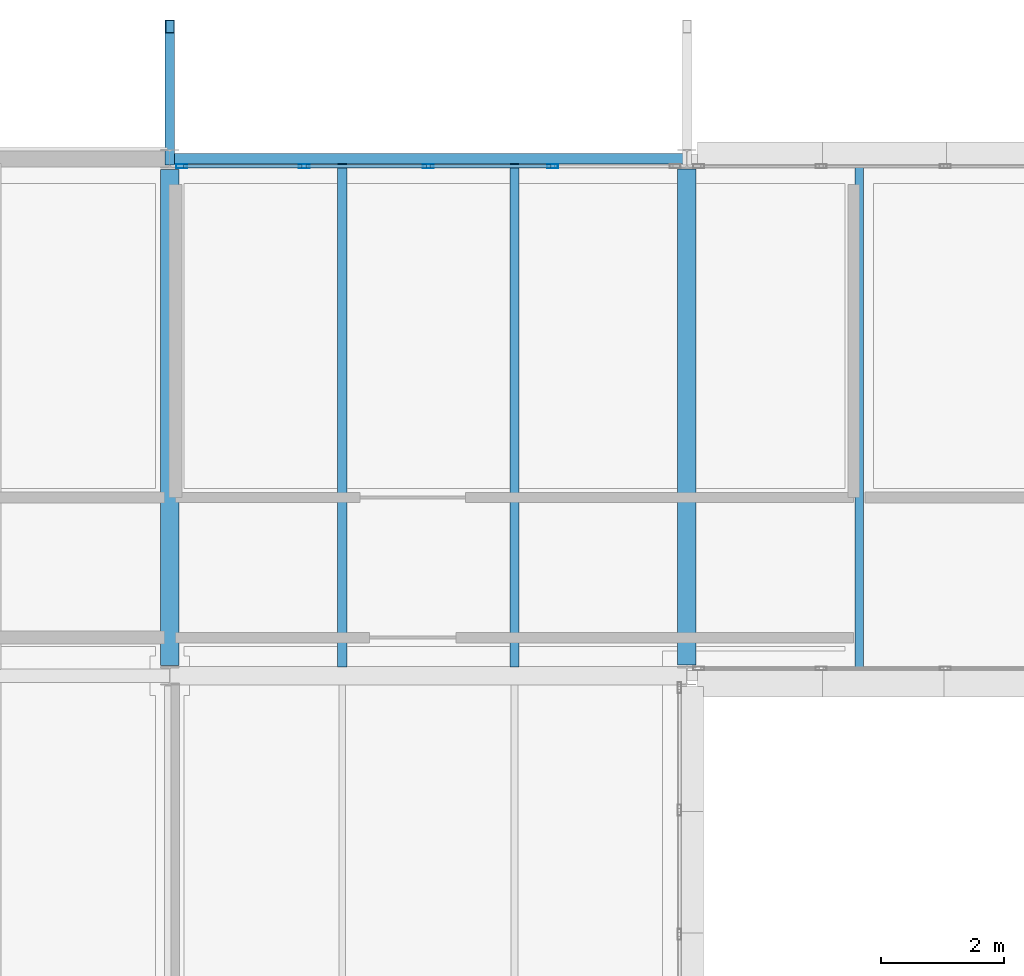
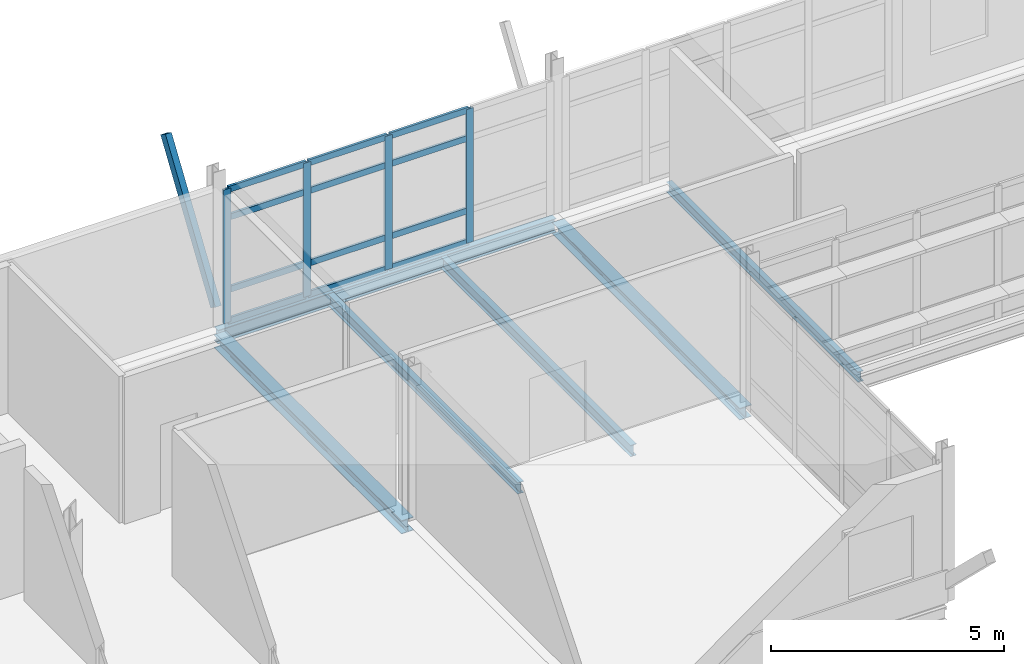
# One storey, part 16 of 57: 17 members, 6 beams, 1 element without a shape of its own.
"""IFC4 building model written with IfcOpenShell, lengths in metres."""

from ifc_helpers import new_model, si_unit, direction, frame, origin, origin_2d, place, context, subcontext, project, spatial, hollow_rectangle, i_section, extrude, material, material_profile, profile_set, type_object, element, aggregate, save


model = new_model("IFC4")

# Units and contexts
model_context = context("Model", 3, precision=1e-05, world=origin(), true_north=direction((0.0, 1.0)))
body_context = subcontext(model_context, "Body", "Model", "MODEL_VIEW")
ifc_project = project(units=[si_unit("LENGTHUNIT", "METRE"), si_unit("AREAUNIT", "SQUARE_METRE"), si_unit("VOLUMEUNIT", "CUBIC_METRE"), si_unit("PLANEANGLEUNIT", "RADIAN"), si_unit("MASSUNIT", "GRAM", prefix="KILO")], contexts=[model_context])

# Site, building, storey
site_placement = place(None, origin())
site = spatial("IfcSite", under=ifc_project, at=site_placement, CompositionType="ELEMENT")
building_placement = place(site_placement, origin())
building = spatial("IfcBuilding", under=site, at=building_placement, Name="Mersafa Astral City Hall", CompositionType="ELEMENT")
storey_placement = place(building_placement, frame((0.0, 0.0, 26.10009765625)))
storey = spatial("IfcBuildingStorey", under=building, at=storey_placement, Name="L06", CompositionType="ELEMENT", Elevation=26.10009765625)

# Curtain wall, members
ifc_material_1 = material(Name="Anodised bronze aluminium framing", Category="aluminium")
curtain_wall_type = type_object("IfcCurtainWallType", Name="ENV-CW-5", PredefinedType="USERDEFINED", material=ifc_material_1)
curtain_wall_placement = place(storey_placement, origin())
curtain_wall = element("IfcCurtainWall", 1, at=curtain_wall_placement, inside=storey, type_object=curtain_wall_type, Name="L06 Unitised solar curtain wall 262", ObjectType="UNITISED CURTAIN WALL", PredefinedType="USERDEFINED")
ifc_material_profile_1 = material_profile(ifc_material_1, hollow_rectangle(XDim=0.06005859375, YDim=0.179931640625, WallThickness=0.00390625, at=origin_2d()), Name="RHS 60x180x4")
ifc_profile_set_1 = profile_set([ifc_material_profile_1], Name="Anodised bronze aluminium framing")
member_type_1 = type_object("IfcMemberType", Name="ENV-CW-MUL-1", PredefinedType="MULLION", material=ifc_profile_set_1)
member_1_placement = place(storey_placement, frame((65.01904296875, 125.8798828125, -0.002197265625), z_axis=(0.0, 0.0, 1.0), x_axis=(0.0, -1.0, 0.0)))
member_1 = element("IfcMember", 2, at=member_1_placement, type_object=member_type_1, Name="CW-5 mullion 2", PredefinedType="MULLION", context=body_context, shape_type="SweptSolid", body=[
    extrude(hollow_rectangle(XDim=0.06005859375, YDim=0.179931640625, WallThickness=0.00390625, at=origin_2d()), origin(), (0.0, 0.0, 1.0), 3.51416015625),
])
member_2_placement = place(storey_placement, frame((63.0, 125.8798828125, -0.002197265625), z_axis=(0.0, 0.0, 1.0), x_axis=(0.0, -1.0, 0.0)))
member_2 = element("IfcMember", 3, at=member_2_placement, type_object=member_type_1, Name="CW-5 mullion 3", PredefinedType="MULLION", context=body_context, shape_type="SweptSolid", body=[
    extrude(hollow_rectangle(XDim=0.06005859375, YDim=0.179931640625, WallThickness=0.00390625, at=origin_2d()), origin(), (0.0, 0.0, 1.0), 3.51416015625),
])
member_3_placement = place(storey_placement, frame((60.98095703125, 125.8798828125, -0.002197265625), z_axis=(0.0, 0.0, 1.0), x_axis=(0.0, -1.0, 0.0)))
member_3 = element("IfcMember", 4, at=member_3_placement, type_object=member_type_1, Name="CW-5 mullion 4", PredefinedType="MULLION", context=body_context, shape_type="SweptSolid", body=[
    extrude(hollow_rectangle(XDim=0.06005859375, YDim=0.179931640625, WallThickness=0.00390625, at=origin_2d()), origin(), (0.0, 0.0, 1.0), 3.51416015625),
])
member_4_placement = place(storey_placement, frame((58.991943359375, 125.8798828125, -0.002197265625), z_axis=(0.0, 0.0, 1.0), x_axis=(0.0, -1.0, 0.0)))
member_4 = element("IfcMember", 5, at=member_4_placement, type_object=member_type_1, Name="CW-5 mullion 5", PredefinedType="MULLION", context=body_context, shape_type="SweptSolid", body=[
    extrude(hollow_rectangle(XDim=0.06005859375, YDim=0.179931640625, WallThickness=0.00390625, at=origin_2d()), origin(), (0.0, 0.0, 1.0), 3.51416015625),
])
ifc_material_profile_2 = material_profile(ifc_material_1, hollow_rectangle(XDim=0.06005859375, YDim=0.159912109375, WallThickness=0.00390625, at=origin_2d()), Name="RHS 60x160x4")
ifc_profile_set_2 = profile_set([ifc_material_profile_2], Name="Anodised bronze aluminium framing")
member_type_2 = type_object("IfcMemberType", Name="ENV-CW-TRN-2", PredefinedType="USERDEFINED", material=ifc_profile_set_2)
member_5_placement = place(storey_placement, frame((64.989013671875, 125.8798828125, 0.02783203125), z_axis=(-1.0, 0.0, 0.0), x_axis=(0.0, -1.0, 0.0)))
member_5 = element("IfcMember", 6, at=member_5_placement, type_object=member_type_2, Name="CW-5 transom 2.1", ObjectType="TRANSOM", PredefinedType="USERDEFINED", context=body_context, shape_type="SweptSolid", body=[
    extrude(hollow_rectangle(XDim=0.06005859375, YDim=0.159912109375, WallThickness=0.00390625, at=origin_2d()), origin(), (0.0, 0.0, 1.0), 1.958984375),
])
member_6_placement = place(storey_placement, frame((64.989013671875, 125.8798828125, 0.849853515625), z_axis=(-1.0, 0.0, 0.0), x_axis=(0.0, -1.0, 0.0)))
member_6 = element("IfcMember", 7, at=member_6_placement, type_object=member_type_2, Name="CW-5 transom 2.2", ObjectType="TRANSOM", PredefinedType="USERDEFINED", context=body_context, shape_type="SweptSolid", body=[
    extrude(hollow_rectangle(XDim=0.06005859375, YDim=0.159912109375, WallThickness=0.00390625, at=origin_2d()), origin(), (0.0, 0.0, 1.0), 1.958984375),
])
member_7_placement = place(storey_placement, frame((64.989013671875, 125.8798828125, 2.75), z_axis=(-1.0, 0.0, 0.0), x_axis=(0.0, -1.0, 0.0)))
member_7 = element("IfcMember", 8, at=member_7_placement, type_object=member_type_2, Name="CW-5 transom 2.3", ObjectType="TRANSOM", PredefinedType="USERDEFINED", context=body_context, shape_type="SweptSolid", body=[
    extrude(hollow_rectangle(XDim=0.06005859375, YDim=0.159912109375, WallThickness=0.00390625, at=origin_2d()), origin(), (0.0, 0.0, 1.0), 1.958984375),
])
member_8_placement = place(storey_placement, frame((64.989013671875, 125.8798828125, 3.48193359375), z_axis=(-1.0, 0.0, 0.0), x_axis=(0.0, -1.0, 0.0)))
member_8 = element("IfcMember", 9, at=member_8_placement, type_object=member_type_2, Name="CW-5 transom 2.4", ObjectType="TRANSOM", PredefinedType="USERDEFINED", context=body_context, shape_type="SweptSolid", body=[
    extrude(hollow_rectangle(XDim=0.06005859375, YDim=0.159912109375, WallThickness=0.00390625, at=origin_2d()), origin(), (0.0, 0.0, 1.0), 1.958984375),
])
member_9_placement = place(storey_placement, frame((62.969970703125, 125.8798828125, 0.02783203125), z_axis=(-1.0, 0.0, 0.0), x_axis=(0.0, -1.0, 0.0)))
member_9 = element("IfcMember", 10, at=member_9_placement, type_object=member_type_2, Name="CW-5 transom 3.1", ObjectType="TRANSOM", PredefinedType="USERDEFINED", context=body_context, shape_type="SweptSolid", body=[
    extrude(hollow_rectangle(XDim=0.06005859375, YDim=0.159912109375, WallThickness=0.00390625, at=origin_2d()), origin(), (0.0, 0.0, 1.0), 1.958984375),
])
member_10_placement = place(storey_placement, frame((62.969970703125, 125.8798828125, 0.849853515625), z_axis=(-1.0, 0.0, 0.0), x_axis=(0.0, -1.0, 0.0)))
member_10 = element("IfcMember", 11, at=member_10_placement, type_object=member_type_2, Name="CW-5 transom 3.2", ObjectType="TRANSOM", PredefinedType="USERDEFINED", context=body_context, shape_type="SweptSolid", body=[
    extrude(hollow_rectangle(XDim=0.06005859375, YDim=0.159912109375, WallThickness=0.00390625, at=origin_2d()), origin(), (0.0, 0.0, 1.0), 1.958984375),
])
member_11_placement = place(storey_placement, frame((62.969970703125, 125.8798828125, 2.75), z_axis=(-1.0, 0.0, 0.0), x_axis=(0.0, -1.0, 0.0)))
member_11 = element("IfcMember", 12, at=member_11_placement, type_object=member_type_2, Name="CW-5 transom 3.3", ObjectType="TRANSOM", PredefinedType="USERDEFINED", context=body_context, shape_type="SweptSolid", body=[
    extrude(hollow_rectangle(XDim=0.06005859375, YDim=0.159912109375, WallThickness=0.00390625, at=origin_2d()), origin(), (0.0, 0.0, 1.0), 1.958984375),
])
member_12_placement = place(storey_placement, frame((62.969970703125, 125.8798828125, 3.48193359375), z_axis=(-1.0, 0.0, 0.0), x_axis=(0.0, -1.0, 0.0)))
member_12 = element("IfcMember", 13, at=member_12_placement, type_object=member_type_2, Name="CW-5 transom 3.4", ObjectType="TRANSOM", PredefinedType="USERDEFINED", context=body_context, shape_type="SweptSolid", body=[
    extrude(hollow_rectangle(XDim=0.06005859375, YDim=0.159912109375, WallThickness=0.00390625, at=origin_2d()), origin(), (0.0, 0.0, 1.0), 1.958984375),
])
member_13_placement = place(storey_placement, frame((60.950927734375, 125.8798828125, 0.02783203125), z_axis=(-1.0, 0.0, 0.0), x_axis=(0.0, -1.0, 0.0)))
member_13 = element("IfcMember", 14, at=member_13_placement, type_object=member_type_2, Name="CW-5 transom 4.1", ObjectType="TRANSOM", PredefinedType="USERDEFINED", context=body_context, shape_type="SweptSolid", body=[
    extrude(hollow_rectangle(XDim=0.06005859375, YDim=0.159912109375, WallThickness=0.00390625, at=origin_2d()), origin(), (0.0, 0.0, 1.0), 1.928955078125),
])
member_14_placement = place(storey_placement, frame((60.950927734375, 125.8798828125, 0.849853515625), z_axis=(-1.0, 0.0, 0.0), x_axis=(0.0, -1.0, 0.0)))
member_14 = element("IfcMember", 15, at=member_14_placement, type_object=member_type_2, Name="CW-5 transom 4.2", ObjectType="TRANSOM", PredefinedType="USERDEFINED", context=body_context, shape_type="SweptSolid", body=[
    extrude(hollow_rectangle(XDim=0.06005859375, YDim=0.159912109375, WallThickness=0.00390625, at=origin_2d()), origin(), (0.0, 0.0, 1.0), 1.928955078125),
])
member_15_placement = place(storey_placement, frame((60.950927734375, 125.8798828125, 2.75), z_axis=(-1.0, 0.0, 0.0), x_axis=(0.0, -1.0, 0.0)))
member_15 = element("IfcMember", 16, at=member_15_placement, type_object=member_type_2, Name="CW-5 transom 4.3", ObjectType="TRANSOM", PredefinedType="USERDEFINED", context=body_context, shape_type="SweptSolid", body=[
    extrude(hollow_rectangle(XDim=0.06005859375, YDim=0.159912109375, WallThickness=0.00390625, at=origin_2d()), origin(), (0.0, 0.0, 1.0), 1.928955078125),
])
member_16_placement = place(storey_placement, frame((60.950927734375, 125.8798828125, 3.48193359375), z_axis=(-1.0, 0.0, 0.0), x_axis=(0.0, -1.0, 0.0)))
member_16 = element("IfcMember", 17, at=member_16_placement, type_object=member_type_2, Name="CW-5 transom 4.4", ObjectType="TRANSOM", PredefinedType="USERDEFINED", context=body_context, shape_type="SweptSolid", body=[
    extrude(hollow_rectangle(XDim=0.06005859375, YDim=0.159912109375, WallThickness=0.00390625, at=origin_2d()), origin(), (0.0, 0.0, 1.0), 1.928955078125),
])
aggregate(curtain_wall, [member_1, member_2, member_3, member_4, member_5, member_6, member_7, member_8, member_9, member_10, member_11, member_12, member_13, member_14, member_15, member_16])

# Beams
ifc_material_2 = material(Name="Steel S355", Category="steel")
ifc_material_profile_3 = material_profile(ifc_material_2, i_section(OverallWidth=0.300048828125, OverallDepth=0.31005859375, WebThickness=0.009033203125, FlangeThickness=0.015380859375, FilletRadius=0.027099609375, at=origin_2d()), Name="HEA 320")
ifc_profile_set_3 = profile_set([ifc_material_profile_3], Name="Steel S355")
beam_type_1 = type_object("IfcBeamType", Name="STR-BM-HEA320", PredefinedType="BEAM", material=ifc_profile_set_3)
beam_1_placement = place(storey_placement, frame((67.199951171875, 117.77490234375, -0.330078125), z_axis=(0.0, 1.0, 0.0), x_axis=(-1.0, 0.0, 0.0)))
element("IfcBeam", 18, at=beam_1_placement, inside=storey, type_object=beam_type_1, Name="L06 Primary girder Y 8-14", PredefinedType="BEAM", context=body_context, shape_type="SweptSolid", body=[
    extrude(i_section(OverallWidth=0.300048828125, OverallDepth=0.31005859375, WebThickness=0.009033203125, FlangeThickness=0.015380859375, FilletRadius=0.027099609375, at=origin_2d()), origin(), (0.0, 0.0, 1.0), 8.06005859375),
])
ifc_material_profile_4 = material_profile(ifc_material_2, i_section(OverallWidth=0.300048828125, OverallDepth=0.35009765625, WebThickness=0.010009765625, FlangeThickness=0.017578125, FilletRadius=0.027099609375, at=origin_2d()), Name="HEA 360")
ifc_profile_set_4 = profile_set([ifc_material_profile_4], Name="Steel S355")
beam_type_2 = type_object("IfcBeamType", Name="STR-BM-HEA360", PredefinedType="BEAM", material=ifc_profile_set_4)
beam_2_placement = place(storey_placement, frame((58.800048828125, 117.764892578125, -0.35009765625), z_axis=(0.0, 1.0, 0.0), x_axis=(-1.0, 0.0, 0.0)))
element("IfcBeam", 19, at=beam_2_placement, inside=storey, type_object=beam_type_2, Name="L06 Primary girder Y 7-14", PredefinedType="BEAM", context=body_context, shape_type="SweptSolid", body=[
    extrude(i_section(OverallWidth=0.300048828125, OverallDepth=0.35009765625, WebThickness=0.010009765625, FlangeThickness=0.017578125, FilletRadius=0.027099609375, at=origin_2d()), origin(), (0.0, 0.0, 1.0), 8.06005859375),
])
ifc_material_profile_5 = material_profile(ifc_material_2, i_section(OverallWidth=0.135009765625, OverallDepth=0.27001953125, WebThickness=0.006591796875, FlangeThickness=0.01025390625, FilletRadius=0.014892578125, at=origin_2d()), Name="IPE 270")
ifc_profile_set_5 = profile_set([ifc_material_profile_5], Name="Steel S355")
beam_type_3 = type_object("IfcBeamType", Name="STR-BM-JOIST-IPE270", PredefinedType="JOIST", material=ifc_profile_set_5)
beam_3_placement = place(storey_placement, frame((70.0, 117.679931640625, -0.31005859375), z_axis=(0.0, 1.0, 0.0), x_axis=(-1.0, 0.0, 0.0)))
element("IfcBeam", 20, at=beam_3_placement, inside=storey, type_object=beam_type_3, Name="L06 Composite secondary floor joist 848", PredefinedType="JOIST", context=body_context, shape_type="SweptSolid", body=[
    extrude(i_section(OverallWidth=0.135009765625, OverallDepth=0.27001953125, WebThickness=0.006591796875, FlangeThickness=0.01025390625, FilletRadius=0.014892578125, at=origin_2d()), origin(), (0.0, 0.0, 1.0), 8.2451171875),
])
ifc_material_profile_6 = material_profile(ifc_material_2, i_section(OverallWidth=0.14990234375, OverallDepth=0.300048828125, WebThickness=0.007080078125, FlangeThickness=0.0107421875, FilletRadius=0.014892578125, at=origin_2d()), Name="IPE 300")
ifc_profile_set_6 = profile_set([ifc_material_profile_6], Name="Steel S355")
beam_type_4 = type_object("IfcBeamType", Name="STR-BM-JOIST-IPE300", PredefinedType="JOIST", material=ifc_profile_set_6)
for number, where, z_axis, x_axis, name in (
    (21, (61.60009765625, 117.7451171875, -0.3251953125), (0.0, 1.0, 0.0), (-1.0, 0.0, 0.0), "L06 Composite secondary floor joist 846"),
    (22, (64.39990234375, 117.7451171875, -0.3251953125), (0.0, 1.0, 0.0), (-1.0, 0.0, 0.0), "L06 Composite secondary floor joist 847"),
):
    element("IfcBeam", number, at=place(storey_placement, frame(where, z_axis=z_axis, x_axis=x_axis)), inside=storey, type_object=beam_type_4, Name=name, PredefinedType="JOIST", context=body_context, shape_type="SweptSolid", body=[
        extrude(i_section(OverallWidth=0.14990234375, OverallDepth=0.300048828125, WebThickness=0.007080078125, FlangeThickness=0.0107421875, FilletRadius=0.014892578125, at=origin_2d()), origin(), (0.0, 0.0, 1.0), 8.1748046875),
    ])
ifc_material_profile_7 = material_profile(ifc_material_2, i_section(OverallWidth=0.169921875, OverallDepth=0.360107421875, WebThickness=0.008056640625, FlangeThickness=0.0126953125, FilletRadius=0.01806640625, at=origin_2d()), Name="IPE 360")
ifc_profile_set_7 = profile_set([ifc_material_profile_7], Name="Steel S355")
beam_type_5 = type_object("IfcBeamType", Name="STR-BM-SPANDREL-IPE360", PredefinedType="SPANDREL", material=ifc_profile_set_7)
beam_4_placement = place(storey_placement, frame((58.802978515625, 126.0, -0.35498046875), z_axis=(1.0, 0.0, 0.0), x_axis=(0.0, 1.0, 0.0)))
element("IfcBeam", 23, at=beam_4_placement, inside=storey, type_object=beam_type_5, Name="L06 Primary girder X 7-15", PredefinedType="SPANDREL", context=body_context, shape_type="SweptSolid", body=[
    extrude(i_section(OverallWidth=0.169921875, OverallDepth=0.360107421875, WebThickness=0.008056640625, FlangeThickness=0.0126953125, FilletRadius=0.01806640625, at=origin_2d()), origin(), (0.0, 0.0, 1.0), 8.39404296875),
])

# Member
ifc_material_profile_8 = material_profile(ifc_material_2, hollow_rectangle(XDim=0.14990234375, YDim=0.25, WallThickness=0.010009765625, at=origin_2d()), Name="RHS 150x250x10")
ifc_profile_set_8 = profile_set([ifc_material_profile_8], Name="Steel S355")
member_type_3 = type_object("IfcMemberType", Name="STR-MBR-STRUT-RHS150X250", PredefinedType="BRACE", material=ifc_profile_set_8)
member_17_placement = place(storey_placement, frame((58.800048828125, 126.0, 0.39990234375), z_axis=(0.0, 0.552902229166, 0.833246137095), x_axis=(-1.0, 0.0, 0.0)))
element("IfcMember", 24, at=member_17_placement, inside=storey, type_object=member_type_3, Name="L06 Raked cosmic eave strut ROOF-T5-V4N N-7", PredefinedType="BRACE", context=body_context, shape_type="SweptSolid", body=[
    extrude(hollow_rectangle(XDim=0.14990234375, YDim=0.25, WallThickness=0.010009765625, at=origin_2d()), origin(), (0.0, 0.0, 1.0), 3.888427734375),
])

save(model, "model.ifc")
